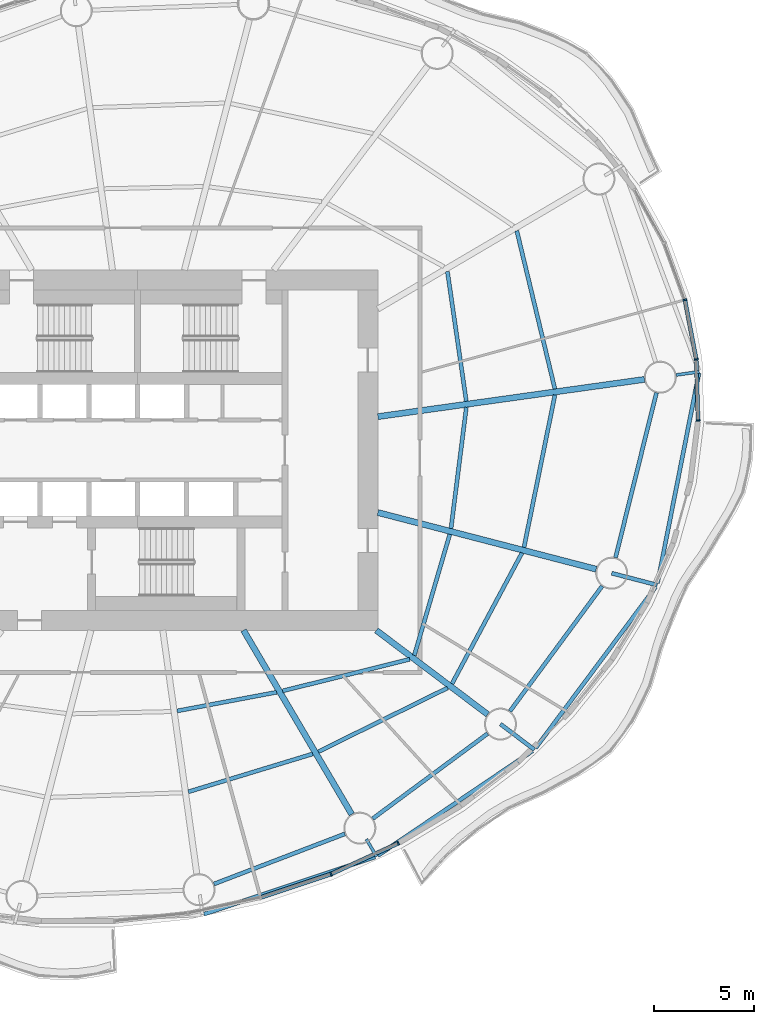
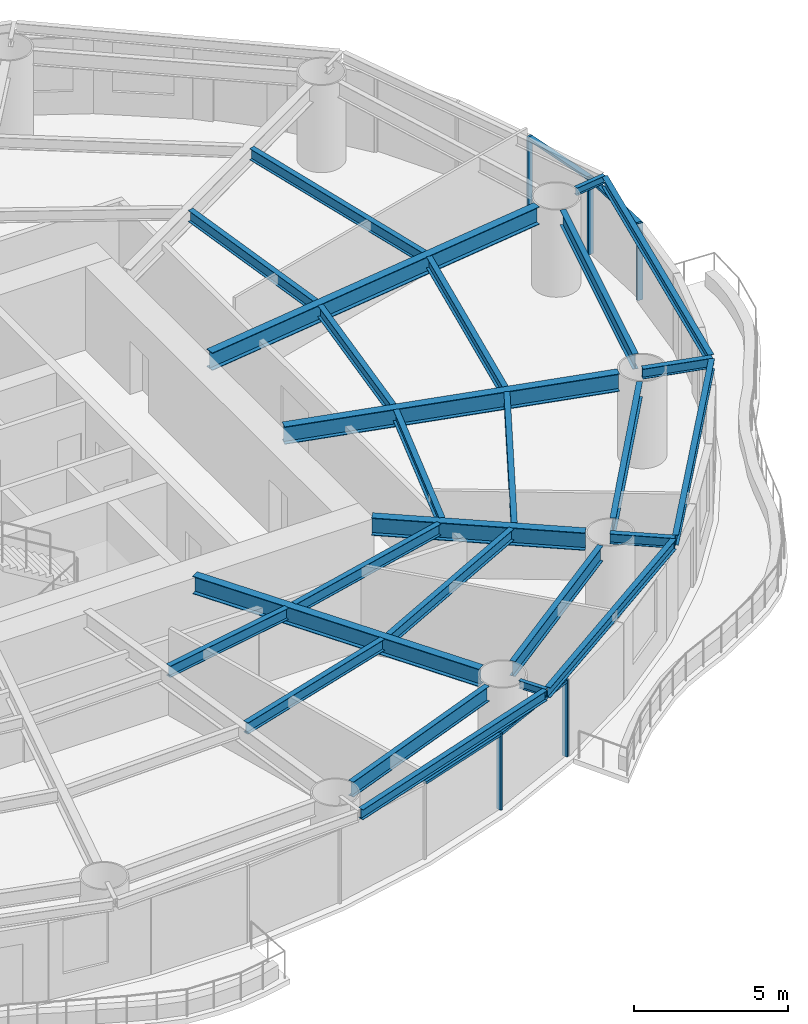
# One storey, part 4 of 16: 26 beams, 9 members, 5 elements without a shape of their own.
"""IFC4 building model written with IfcOpenShell, lengths in metres."""

from ifc_helpers import new_model, si_unit, direction, frame, origin, origin_2d, place, context, subcontext, project, spatial, rectangle, i_section, extrude, material, material_profile, profile_set, type_object, element, aggregate, save


model = new_model("IFC4")

# Units and contexts
model_context = context("Model", 3, precision=1e-05, world=origin(), true_north=direction((0.0, 1.0)))
body_context = subcontext(model_context, "Body", "Model", "MODEL_VIEW")
ifc_project = project(units=[si_unit("LENGTHUNIT", "METRE"), si_unit("AREAUNIT", "SQUARE_METRE"), si_unit("VOLUMEUNIT", "CUBIC_METRE"), si_unit("PLANEANGLEUNIT", "RADIAN"), si_unit("MASSUNIT", "GRAM", prefix="KILO")], contexts=[model_context])

# Site, building, storey
site_placement = place(None, origin())
site = spatial("IfcSite", under=ifc_project, at=site_placement, CompositionType="ELEMENT")
building_placement = place(site_placement, origin())
building = spatial("IfcBuilding", under=site, at=building_placement, Name="Vermilion Reach Broadcast Tower", CompositionType="ELEMENT")
storey_placement = place(building_placement, frame((0.0, 0.0, 95.800048828125)))
storey = spatial("IfcBuildingStorey", under=building, at=storey_placement, Name="L21", CompositionType="ELEMENT", Elevation=95.800048828125)

# Beams
ifc_material_1 = material(Name="Steel S355J2", Category="steel")
ifc_material_profile_1 = material_profile(ifc_material_1, i_section(OverallWidth=0.199951171875, OverallDepth=0.39990234375, WebThickness=0.008056640625, FlangeThickness=0.012939453125, at=origin_2d()), Name="S355J2 HN 400x200x8x13")
ifc_profile_set_1 = profile_set([ifc_material_profile_1], Name="Steel S355J2")
beam_type_1 = type_object("IfcBeamType", Name="EB2 HN 400x200x8x13", PredefinedType="BEAM", material=ifc_profile_set_1)
beam_1_placement = place(storey_placement, frame((-2.687744140625, -23.176513671875, 3.25), z_axis=(0.948406574581, 0.317056728824, 0.0), x_axis=(-0.317056728824, 0.948406574581, 0.0)))
element("IfcBeam", 1, at=beam_1_placement, inside=storey, type_object=beam_type_1, Name="Edge beam EB2-12", PredefinedType="BEAM", context=body_context, shape_type="SweptSolid", body=[
    extrude(i_section(OverallWidth=0.199951171875, OverallDepth=0.39990234375, WebThickness=0.008056640625, FlangeThickness=0.012939453125, at=origin_2d()), origin(), (0.0, 0.0, 1.0), 9.0107421875),
])
beam_2_placement = place(storey_placement, frame((5.9931640625, -20.253173828125, 3.25), z_axis=(0.828409682943, 0.560122662643, 0.0), x_axis=(-0.560122662643, 0.828409682943, 0.0)))
element("IfcBeam", 2, at=beam_2_placement, inside=storey, type_object=beam_type_1, Name="Edge beam EB2-13", PredefinedType="BEAM", context=body_context, shape_type="SweptSolid", body=[
    extrude(i_section(OverallWidth=0.199951171875, OverallDepth=0.39990234375, WebThickness=0.008056640625, FlangeThickness=0.012939453125, at=origin_2d()), origin(), (0.0, 0.0, 1.0), 9.341064453125),
])
beam_3_placement = place(storey_placement, frame((13.878662109375, -14.881591796875, 3.25), z_axis=(0.597619113208, 0.801780141641, 0.0), x_axis=(-0.801780141641, 0.597619113208, 0.0)))
element("IfcBeam", 3, at=beam_3_placement, inside=storey, type_object=beam_type_1, Name="Edge beam EB2-14", PredefinedType="BEAM", context=body_context, shape_type="SweptSolid", body=[
    extrude(i_section(OverallWidth=0.199951171875, OverallDepth=0.39990234375, WebThickness=0.008056640625, FlangeThickness=0.012939453125, at=origin_2d()), origin(), (0.0, 0.0, 1.0), 10.052001953125),
])
beam_4_placement = place(storey_placement, frame((19.9697265625, -6.63720703125, 3.25), z_axis=(0.193635927189, 0.981073456833, 0.0), x_axis=(-0.981073456833, 0.193635927189, 0.0)))
element("IfcBeam", 4, at=beam_4_placement, inside=storey, type_object=beam_type_1, Name="Edge beam EB2-15", PredefinedType="BEAM", context=body_context, shape_type="SweptSolid", body=[
    extrude(i_section(OverallWidth=0.199951171875, OverallDepth=0.39990234375, WebThickness=0.008056640625, FlangeThickness=0.012939453125, at=origin_2d()), origin(), (0.0, 0.0, 1.0), 10.67919921875),
])
ifc_material_2 = material(Name="Steel S355J2", Category="steel")
ifc_material_profile_2 = material_profile(ifc_material_2, i_section(OverallWidth=0.300048828125, OverallDepth=0.699951171875, WebThickness=0.012939453125, FlangeThickness=0.02392578125, at=origin_2d()), Name="S355J2 HN 700x300x13x24")
ifc_profile_set_2 = profile_set([ifc_material_profile_2], Name="Steel S355J2")
beam_type_2 = type_object("IfcBeamType", Name="G2 HN 700x300x13x24", PredefinedType="BEAM", material=ifc_profile_set_2)
beam_5_placement = place(storey_placement, frame((-0.709228515625, -9.0, 3.099853515625), z_axis=(0.506783943634, -0.862073102744, 0.0), x_axis=(0.862073102744, 0.506783943634, 0.0)))
element("IfcBeam", 5, at=beam_5_placement, inside=storey, type_object=beam_type_2, Name="Girder G2-13", PredefinedType="BEAM", context=body_context, shape_type="SweptSolid", body=[
    extrude(i_section(OverallWidth=0.300048828125, OverallDepth=0.699951171875, WebThickness=0.012939453125, FlangeThickness=0.02392578125, at=origin_2d()), origin(), (0.0, 0.0, 1.0), 10.661865234375),
])
beam_6_placement = place(storey_placement, frame((5.921630859375, -9.0, 3.099853515625), z_axis=(0.798113534072, -0.602507084382, 0.0), x_axis=(0.602507084382, 0.798113534072, 0.0)))
element("IfcBeam", 6, at=beam_6_placement, inside=storey, type_object=beam_type_2, Name="Girder G2-14", PredefinedType="BEAM", context=body_context, shape_type="SweptSolid", body=[
    extrude(i_section(OverallWidth=0.300048828125, OverallDepth=0.699951171875, WebThickness=0.012939453125, FlangeThickness=0.02392578125, at=origin_2d()), origin(), (0.0, 0.0, 1.0), 6.971923828125),
])
beam_7_placement = place(storey_placement, frame((6.0, -3.114501953125, 3.099853515625), z_axis=(0.967926079816, -0.2512351568, 0.0), x_axis=(0.2512351568, 0.967926079816, 0.0)))
element("IfcBeam", 7, at=beam_7_placement, inside=storey, type_object=beam_type_2, Name="Girder G2-15", PredefinedType="BEAM", context=body_context, shape_type="SweptSolid", body=[
    extrude(i_section(OverallWidth=0.300048828125, OverallDepth=0.699951171875, WebThickness=0.012939453125, FlangeThickness=0.02392578125, at=origin_2d()), origin(), (0.0, 0.0, 1.0), 11.265625),
])
beam_8_placement = place(storey_placement, frame((6.0, 1.67578125, 3.099853515625), z_axis=(0.990389457618, 0.138306623986, 0.0), x_axis=(-0.138306623986, 0.990389457618, 0.0)))
element("IfcBeam", 8, at=beam_8_placement, inside=storey, type_object=beam_type_2, Name="Girder G2-16", PredefinedType="BEAM", context=body_context, shape_type="SweptSolid", body=[
    extrude(i_section(OverallWidth=0.300048828125, OverallDepth=0.699951171875, WebThickness=0.012939453125, FlangeThickness=0.02392578125, at=origin_2d()), origin(), (0.0, 0.0, 1.0), 13.445556640625),
])
ifc_material_3 = material(Name="Steel S355J2", Category="steel")
ifc_material_profile_3 = material_profile(ifc_material_3, i_section(OverallWidth=0.199951171875, OverallDepth=0.39990234375, WebThickness=0.008056640625, FlangeThickness=0.012939453125, at=origin_2d()), Name="S355J2 HN 400x200x8x13")
ifc_profile_set_3 = profile_set([ifc_material_profile_3], Name="Steel S355J2")
beam_type_3 = type_object("IfcBeamType", Name="GC2 HN 400x200x8x13", PredefinedType="BEAM", material=ifc_profile_set_3)
beam_9_placement = place(storey_placement, frame((12.12451171875, -13.6826171875, 3.25), z_axis=(0.798119240802, -0.602499524865, 0.0), x_axis=(0.602499524865, 0.798119240802, 0.0)))
element("IfcBeam", 9, at=beam_9_placement, inside=storey, type_object=beam_type_3, Name="Cantilever girder GC2-14", PredefinedType="BEAM", context=body_context, shape_type="SweptSolid", body=[
    extrude(i_section(OverallWidth=0.199951171875, OverallDepth=0.39990234375, WebThickness=0.008056640625, FlangeThickness=0.012939453125, at=origin_2d()), origin(), (0.0, 0.0, 1.0), 2.122802734375),
])
beam_10_placement = place(storey_placement, frame((17.6787109375, -6.145751953125, 3.25), z_axis=(0.96793134959, -0.251214853225, 0.0), x_axis=(0.251214853225, 0.96793134959, 0.0)))
element("IfcBeam", 10, at=beam_10_placement, inside=storey, type_object=beam_type_3, Name="Cantilever girder GC2-15", PredefinedType="BEAM", context=body_context, shape_type="SweptSolid", body=[
    extrude(i_section(OverallWidth=0.199951171875, OverallDepth=0.39990234375, WebThickness=0.008056640625, FlangeThickness=0.012939453125, at=origin_2d()), origin(), (0.0, 0.0, 1.0), 2.346923828125),
])
ifc_material_4 = material(Name="Steel S355J2", Category="steel")
ifc_material_profile_4 = material_profile(ifc_material_4, i_section(OverallWidth=0.14990234375, OverallDepth=0.300048828125, WebThickness=0.006591796875, FlangeThickness=0.009033203125, at=origin_2d()), Name="S355J2 HN 300x150x6.5x9")
ifc_profile_set_4 = profile_set([ifc_material_profile_4], Name="Steel S355J2")
beam_type_4 = type_object("IfcBeamType", Name="GS2 HN 300x150x6.5x9", PredefinedType="BEAM", material=ifc_profile_set_4)
beam_11_placement = place(storey_placement, frame((5.424072265625, -19.43310546875, 3.300048828125), z_axis=(0.506828068037, -0.862047161964, 0.0), x_axis=(0.862047161964, 0.506828068037, 0.0)))
element("IfcBeam", 11, at=beam_11_placement, inside=storey, type_object=beam_type_4, Name="Cantilever stub GS2-13", PredefinedType="BEAM", context=body_context, shape_type="SweptSolid", body=[
    extrude(i_section(OverallWidth=0.14990234375, OverallDepth=0.300048828125, WebThickness=0.006591796875, FlangeThickness=0.009033203125, at=origin_2d()), origin(), (0.0, 0.0, 1.0), 1.0),
])
beam_12_placement = place(storey_placement, frame((20.901123046875, 3.7568359375, 3.300048828125), z_axis=(0.990385508733, 0.138334898316, 0.0), x_axis=(-0.138334898316, 0.990385508733, 0.0)))
element("IfcBeam", 12, at=beam_12_placement, inside=storey, type_object=beam_type_4, Name="Cantilever stub GS2-16", PredefinedType="BEAM", context=body_context, shape_type="SweptSolid", body=[
    extrude(i_section(OverallWidth=0.14990234375, OverallDepth=0.300048828125, WebThickness=0.006591796875, FlangeThickness=0.009033203125, at=origin_2d()), origin(), (0.0, 0.0, 1.0), 1.1630859375),
])
ifc_material_5 = material(Name="Steel S355J2", Category="steel")
ifc_material_profile_5 = material_profile(ifc_material_5, i_section(OverallWidth=0.199951171875, OverallDepth=0.60009765625, WebThickness=0.010986328125, FlangeThickness=0.01708984375, at=origin_2d()), Name="S355J2 HN 600x200x11x17")
ifc_profile_set_5 = profile_set([ifc_material_profile_5], Name="Steel S355J2")
beam_type_5 = type_object("IfcBeamType", Name="RB2 HN 600x200x11x17", PredefinedType="BEAM", material=ifc_profile_set_5)
beam_13_placement = place(storey_placement, frame((-2.186767578125, -21.669677734375, 3.14990234375), z_axis=(0.933939237212, 0.357431813353, 0.0), x_axis=(-0.357431813353, 0.933939237212, 0.0)))
element("IfcBeam", 13, at=beam_13_placement, inside=storey, type_object=beam_type_5, Name="Ring beam RB2-12", PredefinedType="BEAM", context=body_context, shape_type="SweptSolid", body=[
    extrude(i_section(OverallWidth=0.199951171875, OverallDepth=0.60009765625, WebThickness=0.010986328125, FlangeThickness=0.01708984375, at=origin_2d()), origin(), (0.0, 0.0, 1.0), 7.001953125),
])
beam_14_placement = place(storey_placement, frame((5.74267578125, -18.4052734375, 3.14990234375), z_axis=(0.803832742218, 0.594855379515, 0.0), x_axis=(-0.594855379515, 0.803832742218, 0.0)))
element("IfcBeam", 14, at=beam_14_placement, inside=storey, type_object=beam_type_5, Name="Ring beam RB2-13", PredefinedType="BEAM", context=body_context, shape_type="SweptSolid", body=[
    extrude(i_section(OverallWidth=0.199951171875, OverallDepth=0.60009765625, WebThickness=0.010986328125, FlangeThickness=0.01708984375, at=origin_2d()), origin(), (0.0, 0.0, 1.0), 7.13916015625),
])
beam_15_placement = place(storey_placement, frame((12.59912109375, -13.03857421875, 3.14990234375), z_axis=(0.593250534798, 0.80501788984, 0.0), x_axis=(-0.80501788984, 0.593250534798, 0.0)))
element("IfcBeam", 15, at=beam_15_placement, inside=storey, type_object=beam_type_5, Name="Ring beam RB2-14", PredefinedType="BEAM", context=body_context, shape_type="SweptSolid", body=[
    extrude(i_section(OverallWidth=0.199951171875, OverallDepth=0.60009765625, WebThickness=0.010986328125, FlangeThickness=0.01708984375, at=origin_2d()), origin(), (0.0, 0.0, 1.0), 7.76220703125),
])
beam_16_placement = place(storey_placement, frame((17.871337890625, -5.369384765625, 3.14990234375), z_axis=(0.240863809798, 0.970558924089, 0.0), x_axis=(-0.970558924089, 0.240863809798, 0.0)))
element("IfcBeam", 16, at=beam_16_placement, inside=storey, type_object=beam_type_5, Name="Ring beam RB2-15", PredefinedType="BEAM", context=body_context, shape_type="SweptSolid", body=[
    extrude(i_section(OverallWidth=0.199951171875, OverallDepth=0.60009765625, WebThickness=0.010986328125, FlangeThickness=0.01708984375, at=origin_2d()), origin(), (0.0, 0.0, 1.0), 8.489013671875),
])
ifc_material_6 = material(Name="Steel S355J2", Category="steel")
ifc_material_profile_6 = material_profile(ifc_material_6, i_section(OverallWidth=0.199951171875, OverallDepth=0.449951171875, WebThickness=0.009033203125, FlangeThickness=0.013916015625, at=origin_2d()), Name="S355J2 HN 450x200x9x14")
ifc_profile_set_6 = profile_set([ifc_material_profile_6], Name="Steel S355J2")
beam_type_6 = type_object("IfcBeamType", Name="SB2 HN 450x200x9x14", PredefinedType="BEAM", material=ifc_profile_set_6)
beam_17_placement = place(storey_placement, frame((-4.029296875, -13.026611328125, 3.224853515625), z_axis=(0.982782890015, 0.184764149915, 0.0), x_axis=(-0.184764149915, 0.982782890015, 0.0)))
element("IfcBeam", 17, at=beam_17_placement, inside=storey, type_object=beam_type_6, Name="Secondary beam SB2-12-1", PredefinedType="BEAM", context=body_context, shape_type="SweptSolid", body=[
    extrude(i_section(OverallWidth=0.199951171875, OverallDepth=0.449951171875, WebThickness=0.009033203125, FlangeThickness=0.013916015625, at=origin_2d()), origin(), (0.0, 0.0, 1.0), 5.051513671875),
])
beam_18_placement = place(storey_placement, frame((-3.46533203125, -17.064697265625, 3.224853515625), z_axis=(0.956596430605, 0.291415972374, 0.0), x_axis=(-0.291415972374, 0.956596430605, 0.0)))
element("IfcBeam", 18, at=beam_18_placement, inside=storey, type_object=beam_type_6, Name="Secondary beam SB2-12-2", PredefinedType="BEAM", context=body_context, shape_type="SweptSolid", body=[
    extrude(i_section(OverallWidth=0.199951171875, OverallDepth=0.449951171875, WebThickness=0.009033203125, FlangeThickness=0.013916015625, at=origin_2d()), origin(), (0.0, 0.0, 1.0), 6.49267578125),
])
beam_19_placement = place(storey_placement, frame((1.24365234375, -12.026123046875, 3.224853515625), z_axis=(0.970396717612, 0.241516480695, 0.0), x_axis=(-0.241516480695, 0.970396717612, 0.0)))
element("IfcBeam", 19, at=beam_19_placement, inside=storey, type_object=beam_type_6, Name="Secondary beam SB2-13-1", PredefinedType="BEAM", context=body_context, shape_type="SweptSolid", body=[
    extrude(i_section(OverallWidth=0.199951171875, OverallDepth=0.449951171875, WebThickness=0.009033203125, FlangeThickness=0.013916015625, at=origin_2d()), origin(), (0.0, 0.0, 1.0), 6.539306640625),
])
beam_20_placement = place(storey_placement, frame((3.02783203125, -15.06103515625, 3.224853515625), z_axis=(0.896648255868, 0.442743611189, 0.0), x_axis=(-0.442743611189, 0.896648255868, 0.0)))
element("IfcBeam", 20, at=beam_20_placement, inside=storey, type_object=beam_type_6, Name="Secondary beam SB2-13-2", PredefinedType="BEAM", context=body_context, shape_type="SweptSolid", body=[
    extrude(i_section(OverallWidth=0.199951171875, OverallDepth=0.449951171875, WebThickness=0.009033203125, FlangeThickness=0.013916015625, at=origin_2d()), origin(), (0.0, 0.0, 1.0), 7.19677734375),
])
beam_21_placement = place(storey_placement, frame((7.821533203125, -10.246337890625, 3.224853515625), z_axis=(0.281175657723, 0.959656318431, 0.0), x_axis=(-0.959656318431, 0.281175657723, 0.0)))
element("IfcBeam", 21, at=beam_21_placement, inside=storey, type_object=beam_type_6, Name="Secondary beam SB2-14-1", PredefinedType="BEAM", context=body_context, shape_type="SweptSolid", body=[
    extrude(i_section(OverallWidth=0.199951171875, OverallDepth=0.449951171875, WebThickness=0.009033203125, FlangeThickness=0.013916015625, at=origin_2d()), origin(), (0.0, 0.0, 1.0), 6.298583984375),
])
beam_22_placement = place(storey_placement, frame((9.702880859375, -11.66650390625, 3.224853515625), z_axis=(0.471821551693, 0.881694064491, 0.0), x_axis=(-0.881694064491, 0.471821551693, 0.0)))
element("IfcBeam", 22, at=beam_22_placement, inside=storey, type_object=beam_type_6, Name="Secondary beam SB2-14-2", PredefinedType="BEAM", context=body_context, shape_type="SweptSolid", body=[
    extrude(i_section(OverallWidth=0.199951171875, OverallDepth=0.449951171875, WebThickness=0.009033203125, FlangeThickness=0.013916015625, at=origin_2d()), origin(), (0.0, 0.0, 1.0), 7.405029296875),
])
beam_23_placement = place(storey_placement, frame((9.65380859375, -3.907958984375, 3.224853515625), z_axis=(0.125557241128, 0.992086376885, 0.0), x_axis=(-0.992086376885, 0.125557241128, 0.0)))
element("IfcBeam", 23, at=beam_23_placement, inside=storey, type_object=beam_type_6, Name="Secondary beam SB2-15-1", PredefinedType="BEAM", context=body_context, shape_type="SweptSolid", body=[
    extrude(i_section(OverallWidth=0.199951171875, OverallDepth=0.449951171875, WebThickness=0.009033203125, FlangeThickness=0.013916015625, at=origin_2d()), origin(), (0.0, 0.0, 1.0), 6.097900390625),
])
beam_24_placement = place(storey_placement, frame((13.29931640625, -4.854248046875, 3.224853515625), z_axis=(0.19906416804, 0.979986457561, 0.0), x_axis=(-0.979986457561, 0.19906416804, 0.0)))
element("IfcBeam", 24, at=beam_24_placement, inside=storey, type_object=beam_type_6, Name="Secondary beam SB2-15-2", PredefinedType="BEAM", context=body_context, shape_type="SweptSolid", body=[
    extrude(i_section(OverallWidth=0.199951171875, OverallDepth=0.449951171875, WebThickness=0.009033203125, FlangeThickness=0.013916015625, at=origin_2d()), origin(), (0.0, 0.0, 1.0), 7.76953125),
])
beam_25_placement = place(storey_placement, frame((10.417236328125, 2.444091796875, 3.224853515625), z_axis=(-0.143973706518, 0.989581513485, 0.0), x_axis=(-0.989581513485, -0.143973706518, 0.0)))
element("IfcBeam", 25, at=beam_25_placement, inside=storey, type_object=beam_type_6, Name="Secondary beam SB2-16-1", PredefinedType="BEAM", context=body_context, shape_type="SweptSolid", body=[
    extrude(i_section(OverallWidth=0.199951171875, OverallDepth=0.449951171875, WebThickness=0.009033203125, FlangeThickness=0.013916015625, at=origin_2d()), origin(), (0.0, 0.0, 1.0), 6.547119140625),
])
beam_26_placement = place(storey_placement, frame((14.84228515625, 3.06201171875, 3.224853515625), z_axis=(-0.234260568382, 0.972173845617, 0.0), x_axis=(-0.972173845617, -0.234260568382, 0.0)))
element("IfcBeam", 26, at=beam_26_placement, inside=storey, type_object=beam_type_6, Name="Secondary beam SB2-16-2", PredefinedType="BEAM", context=body_context, shape_type="SweptSolid", body=[
    extrude(i_section(OverallWidth=0.199951171875, OverallDepth=0.449951171875, WebThickness=0.009033203125, FlangeThickness=0.013916015625, at=origin_2d()), origin(), (0.0, 0.0, 1.0), 8.123779296875),
])

# Curtain wall, member
ifc_material_7 = material(Name="Low-e laminated clear glass in aluminium frame", Category="aluminium")
curtain_wall_type = type_object("IfcCurtainWallType", Name="Slot curtain wall", PredefinedType="NOTDEFINED", material=ifc_material_7)
placement = place(storey_placement, origin())
curtain_wall_1 = element("IfcCurtainWall", 27, at=placement, inside=storey, type_object=curtain_wall_type, Name="Slot curtain wall L21 46", PredefinedType="NOTDEFINED")
ifc_material_8 = material(Name="Anodised aluminium", Category="aluminium")
ifc_material_profile_7 = material_profile(ifc_material_8, rectangle(XDim=0.199951171875, YDim=0.080078125, at=origin_2d()), Name="Slot mullion 80 x 200")
ifc_profile_set_7 = profile_set([ifc_material_profile_7], Name="Anodised aluminium")
member_type_1 = type_object("IfcMemberType", Name="Slot mullion 80 x 200", PredefinedType="MULLION", material=ifc_profile_set_7)
member_1_placement = place(storey_placement, frame((21.992919921875, 1.4853515625, 0.0), z_axis=(0.0, 0.0, 1.0), x_axis=(-0.998878800826, 0.047340693494, 0.0)))
member_1 = element("IfcMember", 28, at=member_1_placement, type_object=member_type_1, Name="Slot mullion L21 46", PredefinedType="MULLION", context=body_context, shape_type="SweptSolid", body=[
    extrude(rectangle(XDim=0.199951171875, YDim=0.080078125, at=origin_2d()), origin(), (0.0, 0.0, 1.0), 3.050048828125),
])

curtain_wall_2 = element("IfcCurtainWall", 29, at=placement, inside=storey, type_object=curtain_wall_type, Name="Slot curtain wall L21 47", PredefinedType="NOTDEFINED")
member_2_placement = place(storey_placement, frame((21.901611328125, 4.5361328125, 0.0), z_axis=(0.0, 0.0, 1.0), x_axis=(-0.994054204078, -0.108886359823, 0.0)))
member_2 = element("IfcMember", 30, at=member_2_placement, type_object=member_type_1, Name="Slot mullion L21 47", PredefinedType="MULLION", context=body_context, shape_type="SweptSolid", body=[
    extrude(rectangle(XDim=0.199951171875, YDim=0.080078125, at=origin_2d()), origin(), (0.0, 0.0, 1.0), 3.050048828125),
])

curtain_wall_3 = element("IfcCurtainWall", 31, at=placement, inside=storey, type_object=curtain_wall_type, Name="Slot curtain wall L21 00", PredefinedType="NOTDEFINED")
member_3_placement = place(storey_placement, frame((21.335205078125, 7.5087890625, 0.0), z_axis=(0.0, 0.0, 1.0), x_axis=(-0.964280534329, -0.264883089521, 0.0)))
member_3 = element("IfcMember", 32, at=member_3_placement, type_object=member_type_1, Name="Slot mullion L21 00", PredefinedType="MULLION", context=body_context, shape_type="SweptSolid", body=[
    extrude(rectangle(XDim=0.199951171875, YDim=0.080078125, at=origin_2d()), origin(), (0.0, 0.0, 1.0), 3.050048828125),
])
aggregate(curtain_wall_3, [member_3])

# Curtain wall, members
curtain_wall_4 = element("IfcCurtainWall", 33, at=placement, inside=storey, type_object=curtain_wall_type, Name="Slot curtain wall L21 37", PredefinedType="NOTDEFINED")
member_4_placement = place(storey_placement, frame((3.66064453125, -21.173583984375, 0.0), z_axis=(0.0, 0.0, 1.0), x_axis=(-0.366922430648, 0.93025154119, 0.0)))
member_4 = element("IfcMember", 34, at=member_4_placement, type_object=member_type_1, Name="Slot mullion L21 37", PredefinedType="MULLION", context=body_context, shape_type="SweptSolid", body=[
    extrude(rectangle(XDim=0.199951171875, YDim=0.080078125, at=origin_2d()), origin(), (0.0, 0.0, 1.0), 3.050048828125),
])
member_5_placement = place(storey_placement, frame((7.016357421875, -19.635986328125, 0.0), z_axis=(0.0, 0.0, 1.0), x_axis=(-0.465784447042, 0.884898213861, 0.0)))
member_5 = element("IfcMember", 35, at=member_5_placement, type_object=member_type_1, Name="Slot mullion L21 38", PredefinedType="MULLION", context=body_context, shape_type="SweptSolid", body=[
    extrude(rectangle(XDim=0.199951171875, YDim=0.080078125, at=origin_2d()), origin(), (0.0, 0.0, 1.0), 3.050048828125),
])

# Member
ifc_material_9 = material(Name="Anodised aluminium", Category="aluminium")
ifc_material_profile_8 = material_profile(ifc_material_9, rectangle(XDim=0.199951171875, YDim=0.10009765625, at=origin_2d()), Name="Slot transom 200 x 100")
ifc_profile_set_8 = profile_set([ifc_material_profile_8], Name="Anodised aluminium")
member_type_2 = type_object("IfcMemberType", Name="Slot transom 200 x 100", PredefinedType="USERDEFINED", material=ifc_profile_set_8)
member_6_placement = place(storey_placement, frame((21.99169921875, 1.525390625, 3.0), z_axis=(-0.029901153947, 0.999552860529, 0.0), x_axis=(-0.999552860529, -0.029901153947, 0.0)))
member_6 = element("IfcMember", 36, at=member_6_placement, type_object=member_type_2, Name="Slot transom L21 46.1", ObjectType="TRANSOM", PredefinedType="USERDEFINED", context=body_context, shape_type="SweptSolid", body=[
    extrude(rectangle(XDim=0.199951171875, YDim=0.10009765625, at=origin_2d()), origin(), (0.0, 0.0, 1.0), 2.971923828125),
])

aggregate(curtain_wall_1, [member_1, member_6])

member_7_placement = place(storey_placement, frame((21.89404296875, 4.575439453125, 3.0), z_axis=(-0.187119723916, 0.98233711572, 0.0), x_axis=(-0.98233711572, -0.187119723916, 0.0)))
member_7 = element("IfcMember", 37, at=member_7_placement, type_object=member_type_2, Name="Slot transom L21 47.1", ObjectType="TRANSOM", PredefinedType="USERDEFINED", context=body_context, shape_type="SweptSolid", body=[
    extrude(rectangle(XDim=0.199951171875, YDim=0.10009765625, at=origin_2d()), origin(), (0.0, 0.0, 1.0), 2.946044921875),
])

aggregate(curtain_wall_2, [member_2, member_7])

# Curtain wall, member
curtain_wall_5 = element("IfcCurtainWall", 38, at=placement, inside=storey, type_object=curtain_wall_type, Name="Slot curtain wall L21 36", PredefinedType="NOTDEFINED")
member_8_placement = place(storey_placement, frame((0.1767578125, -22.334716796875, 3.0), z_axis=(0.948683298051, 0.316227766017, 0.0), x_axis=(-0.316227766017, 0.948683298051, 0.0)))
member_8 = element("IfcMember", 39, at=member_8_placement, type_object=member_type_2, Name="Slot transom L21 36.1", ObjectType="TRANSOM", PredefinedType="USERDEFINED", context=body_context, shape_type="SweptSolid", body=[
    extrude(rectangle(XDim=0.199951171875, YDim=0.10009765625, at=origin_2d()), origin(), (0.0, 0.0, 1.0), 3.632568359375),
])
aggregate(curtain_wall_5, [member_8])

# Member
member_9_placement = place(storey_placement, frame((3.697021484375, -21.15673828125, 3.0), z_axis=(0.909121364473, 0.416531324944, 0.0), x_axis=(-0.416531324944, 0.909121364473, 0.0)))
member_9 = element("IfcMember", 40, at=member_9_placement, type_object=member_type_2, Name="Slot transom L21 37.1", ObjectType="TRANSOM", PredefinedType="USERDEFINED", context=body_context, shape_type="SweptSolid", body=[
    extrude(rectangle(XDim=0.199951171875, YDim=0.10009765625, at=origin_2d()), origin(), (0.0, 0.0, 1.0), 3.611083984375),
])

aggregate(curtain_wall_4, [member_4, member_5, member_9])

save(model, "model.ifc")
